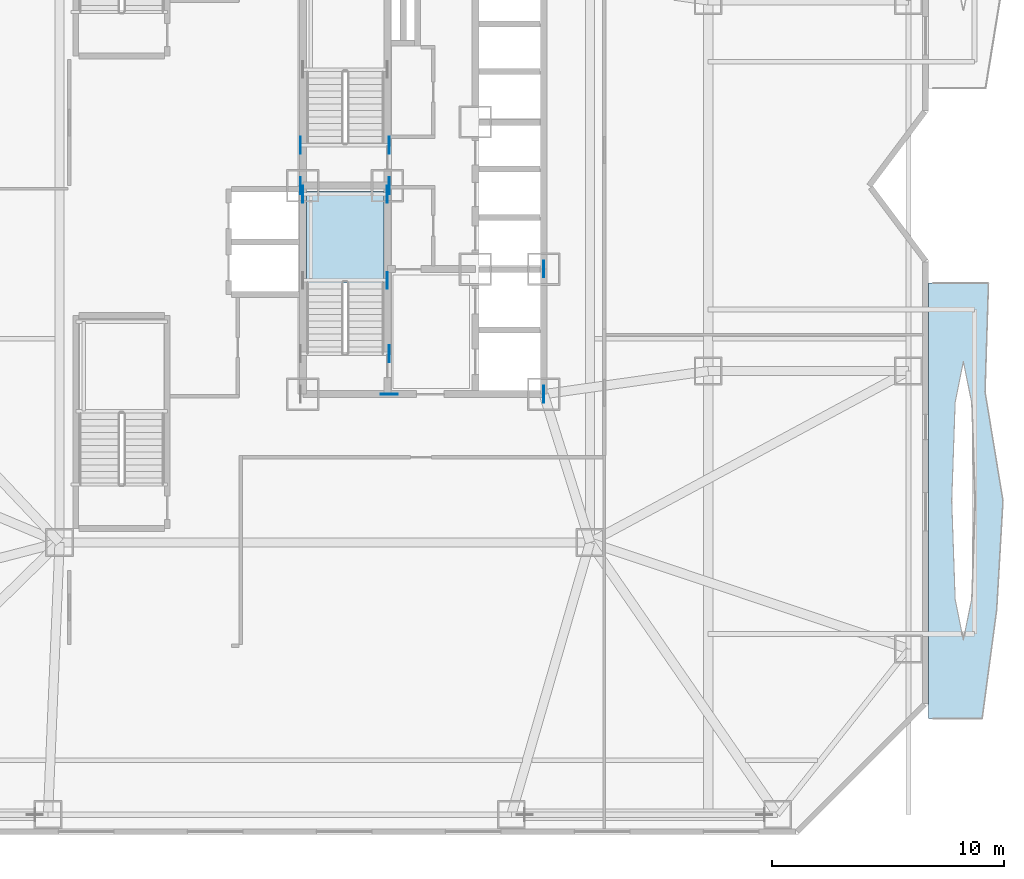
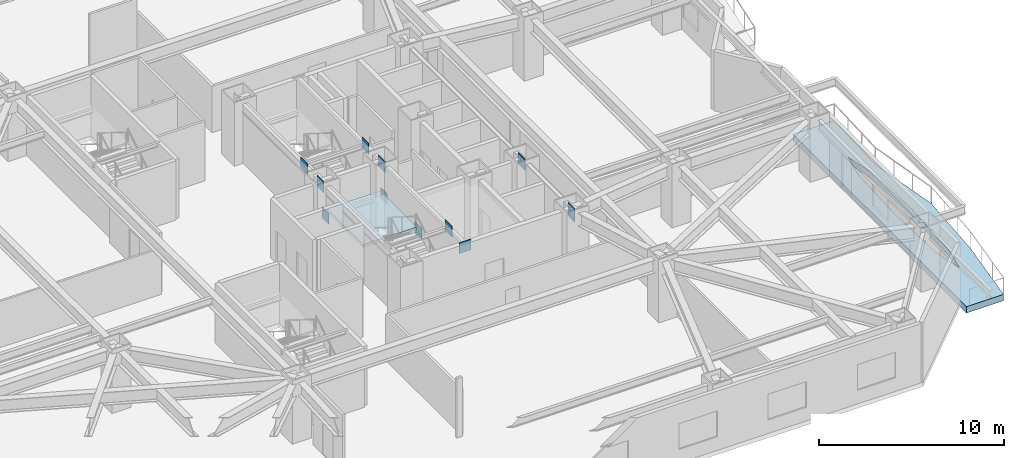
# One storey, part 11 of 25: 12 plates, 2 slabs, 1 element without a shape of its own.
"""IFC4 building model written with IfcOpenShell, lengths in metres."""

import ifcopenshell
import ifcopenshell.guid

model = None  # the IFC model being written
_history = None  # IfcOwnerHistory: only IFC2X3 demands one
_inside = {}  # id of a spatial element -> (the spatial element, [elements in it])
_under = {}  # id of a project, library or spatial element -> (it, [spatial elements below it])
_declared = {}  # id of a project -> (the project, [libraries it declares])
_typed = {}  # id of a type object -> (the type object, [elements of that type])
_made_of = {}  # id of a material, layer set ... -> (it, [elements and type objects made of it])


def new_model(schema):
    """Start an empty IFC model of exactly this schema.

    Asked for "IFC4X3", IfcOpenShell would pick the latest addendum, in which some entities
    have other attributes; the version numbers below select the first issue.
    IFC2X3 requires an IfcOwnerHistory on every rooted entity: one is made here for all.
    """
    global model, _history
    if schema == "IFC4X3":
        model = ifcopenshell.file(schema_version=(4, 3, 0, 0))
    else:
        model = ifcopenshell.file(schema=schema)
    _inside.clear()
    _under.clear()
    _declared.clear()
    _typed.clear()
    _made_of.clear()
    _history = None
    if model.schema == "IFC2X3":
        org = make("IfcOrganization", Name="unknown")
        user = make(
            "IfcPersonAndOrganization",
            ThePerson=make("IfcPerson", FamilyName="unknown"),
            TheOrganization=org,
        )
        app = make(
            "IfcApplication",
            ApplicationDeveloper=org,
            Version="unknown",
            ApplicationFullName="unknown",
            ApplicationIdentifier="unknown",
        )
        _history = make(
            "IfcOwnerHistory",
            OwningUser=user,
            OwningApplication=app,
            ChangeAction="ADDED",
            CreationDate=0,
        )
    return model


def make(cls, **values):
    """One entity of the class cls with the attributes given. An attribute that is None is left unset."""
    return model.create_entity(
        cls, **{name: value for name, value in values.items() if value is not None}
    )


def rooted(cls, **values):
    """An entity with a GlobalId (a new one), such as an element, a storey or a relation."""
    return make(cls, GlobalId=ifcopenshell.guid.new(), OwnerHistory=_history, **values)


def si_unit(unit_type, name, prefix=None):
    """IfcSIUnit, for example si_unit("LENGTHUNIT", "METRE", prefix="MILLI")."""
    return make("IfcSIUnit", UnitType=unit_type, Prefix=prefix, Name=name)


def assignment(units):
    """IfcUnitAssignment: the units of a project."""
    return None if units is None else make("IfcUnitAssignment", Units=units)


def point(xyz):
    """IfcCartesianPoint."""
    return None if xyz is None else make("IfcCartesianPoint", Coordinates=xyz)


def direction(xyz):
    """IfcDirection."""
    return None if xyz is None else make("IfcDirection", DirectionRatios=xyz)


def frame(location, z_axis=None, x_axis=None):
    """IfcAxis2Placement3D, a coordinate frame: its origin and axes. An axis left out is left unset."""
    return make(
        "IfcAxis2Placement3D",
        Location=point(location),
        Axis=direction(z_axis),
        RefDirection=direction(x_axis),
    )


def frame_2d(location, x_axis=None):
    """IfcAxis2Placement2D, a coordinate frame in the plane: its origin and x axis."""
    return make(
        "IfcAxis2Placement2D", Location=point(location), RefDirection=direction(x_axis)
    )


def origin():
    """The frame at (0, 0, 0) with its axes left unset."""
    return frame((0.0, 0.0, 0.0))


def origin_2d():
    """The frame at (0, 0) in the plane with its x axis left unset."""
    return frame_2d((0.0, 0.0))


def place(relative_to, where):
    """IfcLocalPlacement: puts the frame where relative to a parent placement (None: the world)."""
    return make(
        "IfcLocalPlacement", PlacementRelTo=relative_to, RelativePlacement=where
    )


def context(
    kind, dimensions, precision=None, world=None, true_north=None, identifier=None
):
    """IfcGeometricRepresentationContext, for example the 3D "Model" context."""
    return make(
        "IfcGeometricRepresentationContext",
        ContextIdentifier=identifier,
        ContextType=kind,
        CoordinateSpaceDimension=dimensions,
        Precision=precision,
        WorldCoordinateSystem=world,
        TrueNorth=true_north,
    )


def subcontext(parent, identifier, kind, view, scale=None):
    """IfcGeometricRepresentationSubContext, for example "Body" below "Model"."""
    return make(
        "IfcGeometricRepresentationSubContext",
        ContextIdentifier=identifier,
        ContextType=kind,
        ParentContext=parent,
        TargetScale=scale,
        TargetView=view,
    )


def project(units=None, contexts=None):
    """IfcProject with its units and contexts."""
    return rooted(
        "IfcProject",
        Name="project",
        RepresentationContexts=contexts,
        UnitsInContext=assignment(units),
    )


def spatial(cls, under=None, at=None, **own):
    """A site, building, storey or space (cls), placed at a placement, below another one or the project."""
    s = rooted(cls, ObjectPlacement=at, **own)
    if under is not None:
        _under.setdefault(under.id(), (under, []))[1].append(s)
    return s


def polyline(points):
    """IfcPolyline through the points."""
    return make("IfcPolyline", Points=[point(p) for p in points])


def profile(cls, at=None, kind="AREA", **sizes):
    """A parametric profile (cls). Its sizes go by their IFC names, for example OverallWidth=200.0."""
    return make(cls, ProfileType=kind, Position=at, **sizes)


def rectangle(**sizes):
    """IfcRectangleProfileDef."""
    return profile("IfcRectangleProfileDef", **sizes)


def outline(outer, holes=None, kind="AREA"):
    """IfcArbitraryClosedProfileDef: a profile drawn as a closed curve; with holes, ...WithVoids."""
    if holes is None:
        return make("IfcArbitraryClosedProfileDef", ProfileType=kind, OuterCurve=outer)
    return make(
        "IfcArbitraryProfileDefWithVoids",
        ProfileType=kind,
        OuterCurve=outer,
        InnerCurves=holes,
    )


def extrude(swept, where, along, depth):
    """IfcExtrudedAreaSolid: the profile swept, set in the frame where, extruded along a direction by depth."""
    return make(
        "IfcExtrudedAreaSolid",
        SweptArea=swept,
        Position=where,
        ExtrudedDirection=direction(along),
        Depth=depth,
    )


def shape(context_of_items, identifier, shape_type, items):
    """IfcShapeRepresentation: the items that make up one representation, for example the "Body"."""
    return make(
        "IfcShapeRepresentation",
        ContextOfItems=context_of_items,
        RepresentationIdentifier=identifier,
        RepresentationType=shape_type,
        Items=items,
    )


def material(Name=None, Category=None):
    """IfcMaterial."""
    return make("IfcMaterial", Name=Name, Category=Category)


def layer(
    of_material, thickness, ventilated=None, Name=None, Category=None, Priority=None
):
    """IfcMaterialLayer: one layer of a wall or slab, of a material (None: an air gap)."""
    return make(
        "IfcMaterialLayer",
        Material=of_material,
        LayerThickness=thickness,
        IsVentilated=ventilated,
        Name=Name,
        Category=Category,
        Priority=Priority,
    )


def layer_set(layers, Name=None):
    """IfcMaterialLayerSet."""
    return make("IfcMaterialLayerSet", MaterialLayers=layers, LayerSetName=Name)


def made_of(thing, what):
    """Note that an element or type object is made of a material, layer set ...; save() writes the relation."""
    if what is not None:
        _made_of.setdefault(what.id(), (what, []))[1].append(thing)
    return thing


def type_object(cls, material=None, **own):
    """A type object (cls), such as IfcWallType, which elements share."""
    return made_of(rooted(cls, **own), material)


def element(
    cls,
    number,
    at=None,
    inside=None,
    cuts=None,
    type_object=None,
    material=None,
    context=None,
    identifier="Body",
    shape_type=None,
    held_by="IfcProductDefinitionShape",
    body=None,
    shapes=None,
    **own,
):
    """One element of the class cls, such as IfcWall. Its Tag is "e" and its number.

    at: its placement. inside: the storey or other place that contains it. cuts: it is an
    opening in that element (IfcRelVoidsElement). A single representation is given by context,
    identifier, shape_type and body (its items); several are given by shapes. held_by: the class
    of the entity that holds the representations. save() writes the other relations.
    """
    e = rooted(cls, Tag="e%d" % number, ObjectPlacement=at, **own)
    if body is not None:
        shapes = [shape(context, identifier, shape_type, body)]
    if shapes is not None:
        e.Representation = make(held_by, Representations=shapes)
    if inside is not None:
        _inside.setdefault(inside.id(), (inside, []))[1].append(e)
    if cuts is not None:
        rooted(
            "IfcRelVoidsElement", RelatingBuildingElement=cuts, RelatedOpeningElement=e
        )
    if type_object is not None:
        _typed.setdefault(type_object.id(), (type_object, []))[1].append(e)
    return made_of(e, material)


def aggregate(whole, parts):
    """IfcRelAggregates: a whole, such as a stair, and the parts it consists of."""
    return rooted("IfcRelAggregates", RelatingObject=whole, RelatedObjects=parts)


def save(model, path):
    """Write the relations noted so far, then the file.

    IfcRelAggregates (storeys below a building ...), IfcRelContainedInSpatialStructure (elements
    in a storey), IfcRelDefinesByType, IfcRelAssociatesMaterial and IfcRelDeclares: one each for
    every whole, place, type object, material and project.
    """
    for whole, parts in _under.values():
        aggregate(whole, parts)
    for where, things in _inside.values():
        rooted(
            "IfcRelContainedInSpatialStructure",
            RelatedElements=things,
            RelatingStructure=where,
        )
    for kind, things in _typed.values():
        rooted("IfcRelDefinesByType", RelatedObjects=things, RelatingType=kind)
    for what, things in _made_of.values():
        rooted("IfcRelAssociatesMaterial", RelatedObjects=things, RelatingMaterial=what)
    for by, libraries in _declared.values():
        rooted("IfcRelDeclares", RelatingContext=by, RelatedDefinitions=libraries)
    model.write(path)


model = new_model("IFC4")

# Units and contexts
model_context = context("Model", 3, precision=1e-05, world=origin(), true_north=direction((0.0, 1.0)))
body_context = subcontext(model_context, "Body", "Model", "MODEL_VIEW")
ifc_project = project(units=[si_unit("LENGTHUNIT", "METRE"), si_unit("AREAUNIT", "SQUARE_METRE"), si_unit("VOLUMEUNIT", "CUBIC_METRE"), si_unit("PLANEANGLEUNIT", "RADIAN"), si_unit("MASSUNIT", "GRAM", prefix="KILO")], contexts=[model_context])

# Site, building, storey
site_placement = place(None, origin())
site = spatial("IfcSite", under=ifc_project, at=site_placement, CompositionType="ELEMENT")
building_placement = place(site_placement, origin())
building = spatial("IfcBuilding", under=site, at=building_placement, Name="Khamvora Tower", CompositionType="ELEMENT")
storey_placement = place(building_placement, frame((0.0, 0.0, 16.199951171875)))
storey = spatial("IfcBuildingStorey", under=building, at=storey_placement, Name="L03", CompositionType="ELEMENT", Elevation=16.199951171875)

# Plates
ifc_material_1 = material(Name="Steel S460", Category="steel")
ifc_layer_1 = layer(ifc_material_1, 0.034912109375)
ifc_layer_set_1 = layer_set([ifc_layer_1], Name="Steel S460")
plate_type = type_object("IfcPlateType", Name="PL-EMB-35", PredefinedType="SHEET", material=ifc_layer_set_1)
for number, where, z_axis, x_axis, name in (
    (1, (32.64990234375, 23.9150390625, 1.4091796875), (0.0, 0.0, 1.0), (1.0, 0.0, 0.0), "L03 core shear wall cast-in embed plate 0128"),
    (2, (29.0, 27.6298828125, 1.4091796875), (0.0, 0.0, 1.0), (1.0, 0.0, 0.0), "L03 core shear wall cast-in embed plate 0129"),
    (3, (32.64990234375, 27.6298828125, 1.4091796875), (0.0, 0.0, 1.0), (1.0, 0.0, 0.0), "L03 core shear wall cast-in embed plate 0130"),
    (4, (39.39990234375, 19.0, 3.13330078125), (0.0, 0.0, 1.0), (1.0, 0.0, 0.0), "L03 core shear wall cast-in embed plate 0136"),
    (5, (28.89990234375, 28.0, 3.2939453125), (0.0, 0.0, 1.0), (1.0, 0.0, 0.0), "L03 core shear wall cast-in embed plate 0139"),
):
    element("IfcPlate", number, at=place(storey_placement, frame(where, z_axis=z_axis, x_axis=x_axis)), inside=storey, type_object=plate_type, Name=name, PredefinedType="SHEET", context=body_context, shape_type="SweptSolid", body=[
        extrude(rectangle(XDim=0.034912109375, YDim=0.719970703125, at=origin_2d()), origin(), (0.0, 0.0, 1.0), 0.719970703125),
    ])
plate_placement = place(storey_placement, frame((32.72998046875, 19.0, 3.2939453125), z_axis=(0.0, 0.0, 1.0), x_axis=(1.0, 0.0, 0.0)))
element("IfcPlate", 6, at=plate_placement, inside=storey, type_object=plate_type, Name="L03 core shear wall cast-in embed plate 0141", PredefinedType="SHEET", context=body_context, shape_type="SweptSolid", body=[
    extrude(rectangle(XDim=0.719970703125, YDim=0.034912109375, at=origin_2d()), origin(), (0.0, 0.0, 1.0), 0.719970703125),
])
for number, where, z_axis, x_axis, name in (
    (7, (32.72998046875, 28.0, 3.2939453125), (0.0, 0.0, 1.0), (1.0, 0.0, 0.0), "L03 core shear wall cast-in embed plate 0142"),
    (8, (39.39990234375, 19.0, 3.2939453125), (0.0, 0.0, 1.0), (1.0, 0.0, 0.0), "L03 core shear wall cast-in embed plate 0144"),
    (9, (39.39990234375, 24.39990234375, 3.2939453125), (0.0, 0.0, 1.0), (1.0, 0.0, 0.0), "L03 core shear wall cast-in embed plate 0145"),
    (10, (32.72998046875, 20.75, 3.43408203125), (0.0, 0.0, 1.0), (1.0, 0.0, 0.0), "L03 core shear wall cast-in embed plate 0148"),
    (11, (28.89990234375, 29.75, 3.43408203125), (0.0, 0.0, 1.0), (1.0, 0.0, 0.0), "L03 core shear wall cast-in embed plate 0149"),
    (12, (32.72998046875, 29.75, 3.43408203125), (0.0, 0.0, 1.0), (1.0, 0.0, 0.0), "L03 core shear wall cast-in embed plate 0150"),
):
    element("IfcPlate", number, at=place(storey_placement, frame(where, z_axis=z_axis, x_axis=x_axis)), inside=storey, type_object=plate_type, Name=name, PredefinedType="SHEET", context=body_context, shape_type="SweptSolid", body=[
        extrude(rectangle(XDim=0.034912109375, YDim=0.719970703125, at=origin_2d()), origin(), (0.0, 0.0, 1.0), 0.719970703125),
    ])

# Slab
ifc_material_2 = material(Name="Concrete C40/50", Category="concrete")
ifc_layer_2 = layer(ifc_material_2, 0.419921875)
ifc_layer_set_2 = layer_set([ifc_layer_2], Name="Concrete C40/50")
slab_type_1 = type_object("IfcSlabType", Name="SLB-GRD-420", PredefinedType="FLOOR", material=ifc_layer_set_2)
slab_1_placement = place(storey_placement, frame((0.0, 0.0, -0.419921875)))
element("IfcSlab", 13, at=slab_1_placement, inside=storey, type_object=slab_type_1, Name="L03 external lens gallery slab EL1", PredefinedType="FLOOR", context=body_context, shape_type="SweptSolid", body=[
    extrude(outline(polyline([(58.324951171875, 5.0), (58.951904296875, 9.699951171875), (59.22412109375, 14.39990234375), (58.449951171875, 19.10009765625), (58.597900390625, 23.800048828125), (56.0, 23.800048828125), (56.0, 5.0), (58.324951171875, 5.0)]), holes=[polyline([(58.01904296875, 14.39990234375), (57.87109375, 18.654052734375), (57.514892578125, 20.416015625), (57.158935546875, 18.654052734375), (57.010986328125, 14.39990234375), (57.158935546875, 10.14599609375), (57.514892578125, 8.384033203125), (57.87109375, 10.14599609375), (58.01904296875, 14.39990234375)])]), origin(), (0.0, 0.0, 1.0), 0.419921875),
])

# Stair, slab
stair_type = type_object("IfcStairType", Name="STR-ST-01", PredefinedType="HALF_TURN_STAIR", material=ifc_material_2)
stair_placement = place(storey_placement, origin())
stair = element("IfcStair", 14, at=stair_placement, inside=storey, type_object=stair_type, Name="L03 South Tower Exit Stair ST-01", PredefinedType="HALF_TURN_STAIR")
ifc_layer_3 = layer(ifc_material_2, 0.199951171875)
ifc_layer_set_3 = layer_set([ifc_layer_3], Name="Concrete C40/50")
slab_type_2 = type_object("IfcSlabType", Name="SLB-LND-200", PredefinedType="LANDING", material=ifc_layer_set_3)
slab_2_placement = place(storey_placement, frame((0.0, 0.0, 1.900146484375)))
slab_2 = element("IfcSlab", 15, at=slab_2_placement, type_object=slab_type_2, Name="ST-01 landing 1", PredefinedType="LANDING", context=body_context, shape_type="SweptSolid", body=[
    extrude(outline(polyline([(32.5, 23.794921875), (32.5, 27.75), (29.14990234375, 27.75), (29.14990234375, 23.794921875), (32.5, 23.794921875)])), origin(), (0.0, 0.0, 1.0), 0.199951171875),
])
aggregate(stair, [slab_2])

save(model, "model.ifc")
